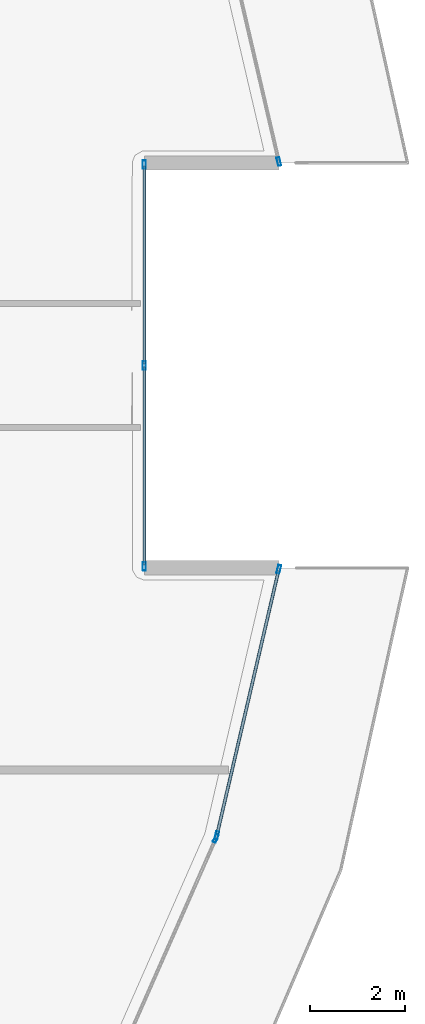
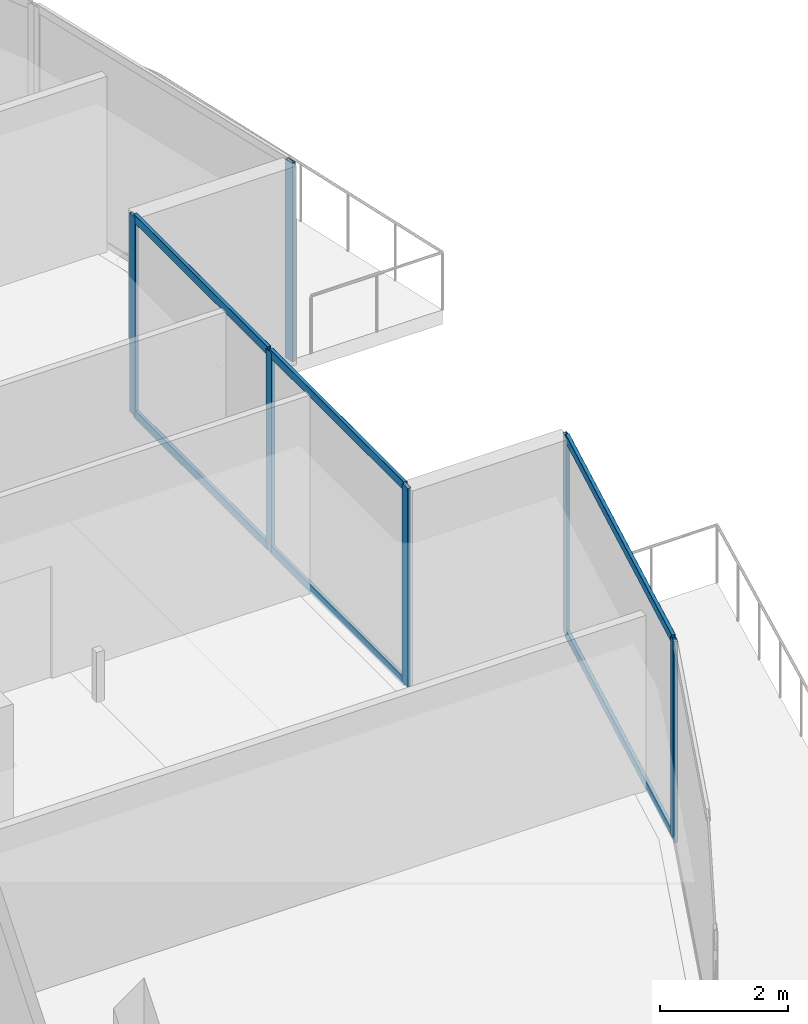
# One storey, part 12 of 30: 13 members, 4 elements without a shape of their own.
"""IFC4 building model written with IfcOpenShell, lengths in metres."""

from ifc_helpers import new_model, si_unit, direction, frame, origin, origin_2d, place, context, subcontext, project, spatial, hollow_rectangle, extrude, material, layer, layer_set, material_profile, profile_set, type_object, element, aggregate, save


model = new_model("IFC4")

# Units and contexts
model_context = context("Model", 3, precision=1e-05, world=origin(), true_north=direction((0.0, 1.0)))
body_context = subcontext(model_context, "Body", "Model", "MODEL_VIEW")
ifc_project = project(units=[si_unit("LENGTHUNIT", "METRE"), si_unit("AREAUNIT", "SQUARE_METRE"), si_unit("VOLUMEUNIT", "CUBIC_METRE"), si_unit("PLANEANGLEUNIT", "RADIAN"), si_unit("MASSUNIT", "GRAM", prefix="KILO")], contexts=[model_context])

# Site, building, storey
site_placement = place(None, origin())
site = spatial("IfcSite", under=ifc_project, at=site_placement, CompositionType="ELEMENT")
building_placement = place(site_placement, origin())
building = spatial("IfcBuilding", under=site, at=building_placement, Name="Qorvath Tower", CompositionType="ELEMENT")
storey_placement = place(building_placement, frame((0.0, 0.0, 217.199951171875)))
storey = spatial("IfcBuildingStorey", under=building, at=storey_placement, Name="L50", CompositionType="ELEMENT", Elevation=217.199951171875)

# Curtain wall, member
ifc_material_1 = material(Name="Anodised aluminium and triple low-E glass", Category="aluminium")
ifc_layer = layer(ifc_material_1, 0.179931640625)
ifc_layer_set = layer_set([ifc_layer], Name="CW-SYS-3")
curtain_wall_type = type_object("IfcCurtainWallType", Name="CW-SYS-3", PredefinedType="NOTDEFINED", material=ifc_layer_set)
curtain_wall_1_placement = place(storey_placement, origin())
curtain_wall_1 = element("IfcCurtainWall", 1, at=curtain_wall_1_placement, inside=storey, type_object=curtain_wall_type, Name="Curtain Wall CW-3 CW-T-L50-6.1", PredefinedType="NOTDEFINED")
ifc_material_2 = material(Name="Anodised aluminium 6063-T6", Category="aluminium")
ifc_material_profile_1 = material_profile(ifc_material_2, hollow_rectangle(XDim=0.06494140625, YDim=0.179931640625, WallThickness=0.00341796875, InnerFilletRadius=0.00341796875, OuterFilletRadius=0.007080078125, at=origin_2d()), Name="CWM 180x65")
ifc_profile_set_1 = profile_set([ifc_material_profile_1], Name="Anodised aluminium 6063-T6")
member_type_1 = type_object("IfcMemberType", Name="CWM-180", PredefinedType="MULLION", material=ifc_profile_set_1)
member_1_placement = place(storey_placement, frame((-1.28955078125, -9.9970703125, 0.0), z_axis=(0.0, 0.0, 1.0), x_axis=(-0.915321088723, 0.402724849666, 0.0)))
member_1 = element("IfcMember", 2, at=member_1_placement, type_object=member_type_1, Name="CW-3 mullion 2", PredefinedType="MULLION", context=body_context, shape_type="SweptSolid", body=[
    extrude(hollow_rectangle(XDim=0.06494140625, YDim=0.179931640625, WallThickness=0.00341796875, InnerFilletRadius=0.00341796875, OuterFilletRadius=0.007080078125, at=origin_2d()), origin(), (0.0, 0.0, 1.0), 3.780029296875),
])
aggregate(curtain_wall_1, [member_1])

# Curtain wall, members
curtain_wall_2_placement = place(storey_placement, origin())
curtain_wall_2 = element("IfcCurtainWall", 3, at=curtain_wall_2_placement, inside=storey, type_object=curtain_wall_type, Name="Curtain Wall CW-3 CW-T-L50-7.1", PredefinedType="NOTDEFINED")
member_2_placement = place(storey_placement, frame((-1.26904296875, -9.935546875, 0.0), z_axis=(0.0, 0.0, 1.0), x_axis=(-0.97390782408, 0.226943936238, 0.0)))
member_2 = element("IfcMember", 4, at=member_2_placement, type_object=member_type_1, Name="CW-3 mullion 1", PredefinedType="MULLION", context=body_context, shape_type="SweptSolid", body=[
    extrude(hollow_rectangle(XDim=0.06494140625, YDim=0.179931640625, WallThickness=0.00341796875, InnerFilletRadius=0.00341796875, OuterFilletRadius=0.007080078125, at=origin_2d()), origin(), (0.0, 0.0, 1.0), 3.780029296875),
])
member_3_placement = place(storey_placement, frame((0.042236328125, -4.30859375, 0.0), z_axis=(0.0, 0.0, 1.0), x_axis=(-0.97390782408, 0.226943936238, 0.0)))
member_3 = element("IfcMember", 5, at=member_3_placement, type_object=member_type_1, Name="CW-3 mullion 2", PredefinedType="MULLION", context=body_context, shape_type="SweptSolid", body=[
    extrude(hollow_rectangle(XDim=0.06494140625, YDim=0.179931640625, WallThickness=0.00341796875, InnerFilletRadius=0.00341796875, OuterFilletRadius=0.007080078125, at=origin_2d()), origin(), (0.0, 0.0, 1.0), 3.780029296875),
])

curtain_wall_3_placement = place(storey_placement, origin())
curtain_wall_3 = element("IfcCurtainWall", 6, at=curtain_wall_3_placement, inside=storey, type_object=curtain_wall_type, Name="Curtain Wall CW-3 CW-T-L50-9.1", PredefinedType="NOTDEFINED")
member_4_placement = place(storey_placement, frame((-2.8017578125, -4.244384765625, 0.0), z_axis=(0.0, 0.0, 1.0), x_axis=(-1.0, 0.0, 0.0)))
member_4 = element("IfcMember", 7, at=member_4_placement, type_object=member_type_1, Name="CW-3 mullion 1", PredefinedType="MULLION", context=body_context, shape_type="SweptSolid", body=[
    extrude(hollow_rectangle(XDim=0.06494140625, YDim=0.179931640625, WallThickness=0.00341796875, InnerFilletRadius=0.00341796875, OuterFilletRadius=0.007080078125, at=origin_2d()), origin(), (0.0, 0.0, 1.0), 3.780029296875),
])
member_5_placement = place(storey_placement, frame((-2.8017578125, 0.0, 0.0), z_axis=(0.0, 0.0, 1.0), x_axis=(-1.0, 0.0, 0.0)))
member_5 = element("IfcMember", 8, at=member_5_placement, type_object=member_type_1, Name="CW-3 mullion 2", PredefinedType="MULLION", context=body_context, shape_type="SweptSolid", body=[
    extrude(hollow_rectangle(XDim=0.06494140625, YDim=0.179931640625, WallThickness=0.00341796875, InnerFilletRadius=0.00341796875, OuterFilletRadius=0.007080078125, at=origin_2d()), origin(), (0.0, 0.0, 1.0), 3.780029296875),
])
member_6_placement = place(storey_placement, frame((-2.8017578125, 4.244384765625, 0.0), z_axis=(0.0, 0.0, 1.0), x_axis=(-1.0, 0.0, 0.0)))
member_6 = element("IfcMember", 9, at=member_6_placement, type_object=member_type_1, Name="CW-3 mullion 3", PredefinedType="MULLION", context=body_context, shape_type="SweptSolid", body=[
    extrude(hollow_rectangle(XDim=0.06494140625, YDim=0.179931640625, WallThickness=0.00341796875, InnerFilletRadius=0.00341796875, OuterFilletRadius=0.007080078125, at=origin_2d()), origin(), (0.0, 0.0, 1.0), 3.780029296875),
])

# Curtain wall, member
curtain_wall_4_placement = place(storey_placement, origin())
curtain_wall_4 = element("IfcCurtainWall", 10, at=curtain_wall_4_placement, inside=storey, type_object=curtain_wall_type, Name="Curtain Wall CW-3 CW-T-L50-11.1", PredefinedType="NOTDEFINED")
member_7_placement = place(storey_placement, frame((0.042236328125, 4.30859375, 0.0), z_axis=(0.0, 0.0, 1.0), x_axis=(-0.97390782408, -0.226943936238, 0.0)))
member_7 = element("IfcMember", 11, at=member_7_placement, type_object=member_type_1, Name="CW-3 mullion 1", PredefinedType="MULLION", context=body_context, shape_type="SweptSolid", body=[
    extrude(hollow_rectangle(XDim=0.06494140625, YDim=0.179931640625, WallThickness=0.00341796875, InnerFilletRadius=0.00341796875, OuterFilletRadius=0.007080078125, at=origin_2d()), origin(), (0.0, 0.0, 1.0), 3.780029296875),
])
aggregate(curtain_wall_4, [member_7])

# Member
ifc_material_3 = material(Name="Anodised aluminium 6063-T6", Category="aluminium")
ifc_material_profile_2 = material_profile(ifc_material_3, hollow_rectangle(XDim=0.06494140625, YDim=0.159912109375, WallThickness=0.00341796875, InnerFilletRadius=0.00341796875, OuterFilletRadius=0.007080078125, at=origin_2d()), Name="CWT 160x65")
ifc_profile_set_2 = profile_set([ifc_material_profile_2], Name="Anodised aluminium 6063-T6")
member_type_2 = type_object("IfcMemberType", Name="CWT-160", PredefinedType="USERDEFINED", material=ifc_profile_set_2)
member_8_placement = place(storey_placement, frame((-1.26171875, -9.904052734375, 0.032470703125), z_axis=(0.226959424522, 0.973904214808, 0.0), x_axis=(-0.973904214808, 0.226959424522, 0.0)))
member_8 = element("IfcMember", 12, at=member_8_placement, type_object=member_type_2, Name="CW-3 transom 1.1", ObjectType="TRANSOM", PredefinedType="USERDEFINED", context=body_context, shape_type="SweptSolid", body=[
    extrude(hollow_rectangle(XDim=0.06494140625, YDim=0.159912109375, WallThickness=0.00341796875, InnerFilletRadius=0.00341796875, OuterFilletRadius=0.007080078125, at=origin_2d()), origin(), (0.0, 0.0, 1.0), 5.713134765625),
])

member_9_placement = place(storey_placement, frame((-1.26171875, -9.904052734375, 3.74755859375), z_axis=(0.226959424522, 0.973904214808, 0.0), x_axis=(-0.973904214808, 0.226959424522, 0.0)))
member_9 = element("IfcMember", 13, at=member_9_placement, type_object=member_type_2, Name="CW-3 transom 1.2", ObjectType="TRANSOM", PredefinedType="USERDEFINED", context=body_context, shape_type="SweptSolid", body=[
    extrude(hollow_rectangle(XDim=0.06494140625, YDim=0.159912109375, WallThickness=0.00341796875, InnerFilletRadius=0.00341796875, OuterFilletRadius=0.007080078125, at=origin_2d()), origin(), (0.0, 0.0, 1.0), 5.713134765625),
])

aggregate(curtain_wall_2, [member_2, member_3, member_8, member_9])

member_10_placement = place(storey_placement, frame((-2.8017578125, -4.2119140625, 0.032470703125), z_axis=(0.0, 1.0, 0.0), x_axis=(-1.0, 0.0, 0.0)))
member_10 = element("IfcMember", 14, at=member_10_placement, type_object=member_type_2, Name="CW-3 transom 1.1", ObjectType="TRANSOM", PredefinedType="USERDEFINED", context=body_context, shape_type="SweptSolid", body=[
    extrude(hollow_rectangle(XDim=0.06494140625, YDim=0.159912109375, WallThickness=0.00341796875, InnerFilletRadius=0.00341796875, OuterFilletRadius=0.007080078125, at=origin_2d()), origin(), (0.0, 0.0, 1.0), 4.179443359375),
])

member_11_placement = place(storey_placement, frame((-2.8017578125, -4.2119140625, 3.74755859375), z_axis=(0.0, 1.0, 0.0), x_axis=(-1.0, 0.0, 0.0)))
member_11 = element("IfcMember", 15, at=member_11_placement, type_object=member_type_2, Name="CW-3 transom 1.2", ObjectType="TRANSOM", PredefinedType="USERDEFINED", context=body_context, shape_type="SweptSolid", body=[
    extrude(hollow_rectangle(XDim=0.06494140625, YDim=0.159912109375, WallThickness=0.00341796875, InnerFilletRadius=0.00341796875, OuterFilletRadius=0.007080078125, at=origin_2d()), origin(), (0.0, 0.0, 1.0), 4.179443359375),
])

member_12_placement = place(storey_placement, frame((-2.8017578125, 0.032470703125, 0.032470703125), z_axis=(0.0, 1.0, 0.0), x_axis=(-1.0, 0.0, 0.0)))
member_12 = element("IfcMember", 16, at=member_12_placement, type_object=member_type_2, Name="CW-3 transom 2.1", ObjectType="TRANSOM", PredefinedType="USERDEFINED", context=body_context, shape_type="SweptSolid", body=[
    extrude(hollow_rectangle(XDim=0.06494140625, YDim=0.159912109375, WallThickness=0.00341796875, InnerFilletRadius=0.00341796875, OuterFilletRadius=0.007080078125, at=origin_2d()), origin(), (0.0, 0.0, 1.0), 4.179443359375),
])

member_13_placement = place(storey_placement, frame((-2.8017578125, 0.032470703125, 3.74755859375), z_axis=(0.0, 1.0, 0.0), x_axis=(-1.0, 0.0, 0.0)))
member_13 = element("IfcMember", 17, at=member_13_placement, type_object=member_type_2, Name="CW-3 transom 2.2", ObjectType="TRANSOM", PredefinedType="USERDEFINED", context=body_context, shape_type="SweptSolid", body=[
    extrude(hollow_rectangle(XDim=0.06494140625, YDim=0.159912109375, WallThickness=0.00341796875, InnerFilletRadius=0.00341796875, OuterFilletRadius=0.007080078125, at=origin_2d()), origin(), (0.0, 0.0, 1.0), 4.179443359375),
])

aggregate(curtain_wall_3, [member_4, member_5, member_6, member_10, member_11, member_12, member_13])

save(model, "model.ifc")
